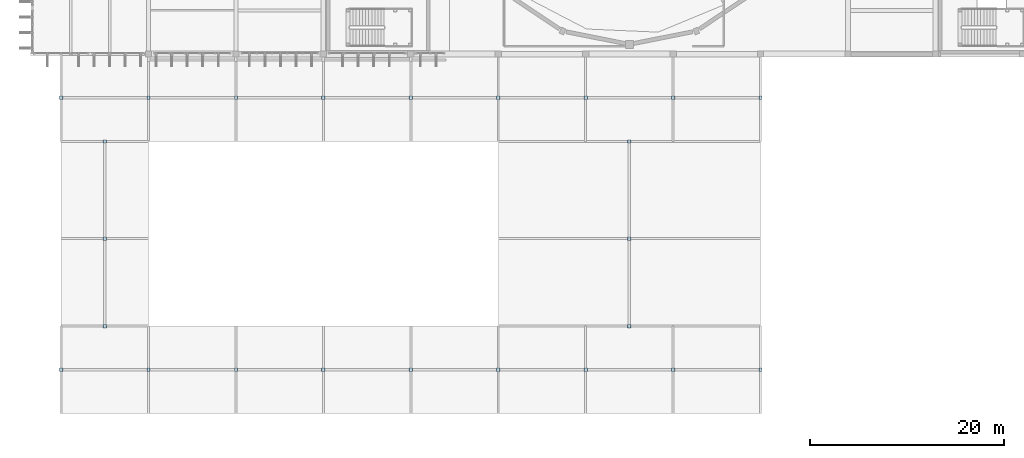
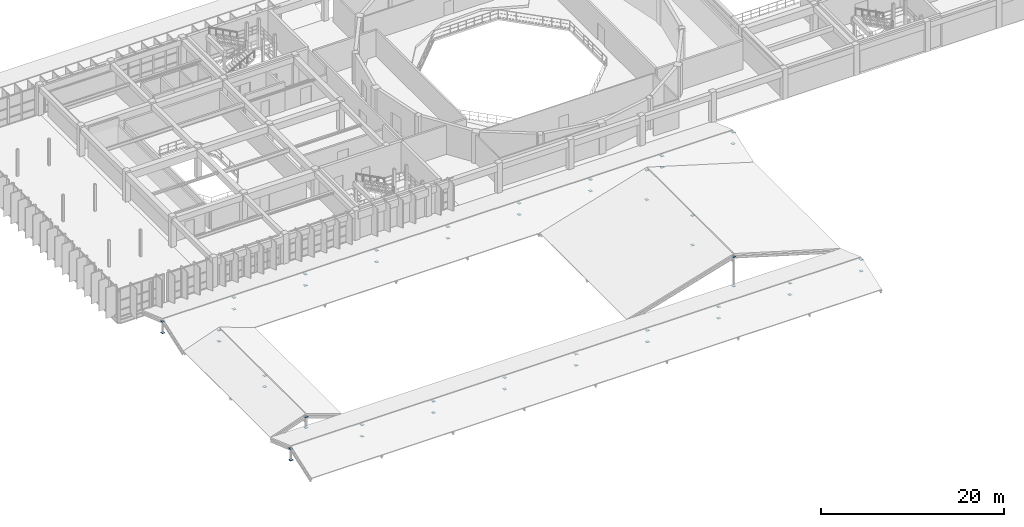
# One storey, part 66 of 80: 48 plates.
"""IFC4 building model written with IfcOpenShell, lengths in metres."""

from ifc_helpers import new_model, si_unit, direction, frame, origin, origin_2d, place, context, subcontext, project, spatial, rectangle, extrude, material, layer, layer_set, type_object, element, save


model = new_model("IFC4")

# Units and contexts
model_context = context("Model", 3, precision=1e-05, world=origin(), true_north=direction((0.0, 1.0)))
body_context = subcontext(model_context, "Body", "Model", "MODEL_VIEW")
ifc_project = project(units=[si_unit("LENGTHUNIT", "METRE"), si_unit("AREAUNIT", "SQUARE_METRE"), si_unit("VOLUMEUNIT", "CUBIC_METRE"), si_unit("PLANEANGLEUNIT", "RADIAN"), si_unit("MASSUNIT", "GRAM", prefix="KILO")], contexts=[model_context])

# Site, building, storey
site_placement = place(None, origin())
site = spatial("IfcSite", under=ifc_project, at=site_placement, CompositionType="ELEMENT")
building_placement = place(site_placement, origin())
building = spatial("IfcBuilding", under=site, at=building_placement, Name="Miravela Opera House", CompositionType="ELEMENT")
storey_placement = place(building_placement, frame((0.0, 0.0, 17.679931640625)))
storey = spatial("IfcBuildingStorey", under=building, at=storey_placement, Name="L04", CompositionType="ELEMENT", Elevation=17.679931640625)

# Plates
ifc_material = material(Name="Structural steel ASTM A572 Gr. 50", Category="steel")
ifc_layer = layer(ifc_material, 0.02001953125)
ifc_layer_set = layer_set([ifc_layer])
plate_type = type_object("IfcPlateType", Name="STR-PL-CAP-350X350X20", PredefinedType="SHEET", material=ifc_layer_set)
for number, where, z_axis, x_axis, name in (
    (1, (18.0, 32.5, -0.263916015625), (0.0, 0.0, 1.0), (1.0, 0.0, 0.0), "HSS Welded End Cap Plate 170"),
    (2, (18.0, 32.5, 1.254150390625), (0.0, 0.0, 1.0), (1.0, 0.0, 0.0), "HSS Welded End Cap Plate 171"),
    (3, (27.0, 32.5, -0.263916015625), (0.0, 0.0, 1.0), (1.0, 0.0, 0.0), "HSS Welded End Cap Plate 172"),
    (4, (27.0, 32.5, 1.254150390625), (0.0, 0.0, 1.0), (1.0, 0.0, 0.0), "HSS Welded End Cap Plate 173"),
    (5, (36.0, 32.5, -0.263916015625), (0.0, 0.0, 1.0), (1.0, 0.0, 0.0), "HSS Welded End Cap Plate 174"),
    (6, (36.0, 32.5, 1.254150390625), (0.0, 0.0, 1.0), (1.0, 0.0, 0.0), "HSS Welded End Cap Plate 175"),
    (7, (45.0, 32.5, -0.263916015625), (0.0, 0.0, 1.0), (1.0, 0.0, 0.0), "HSS Welded End Cap Plate 176"),
    (8, (45.0, 32.5, 1.254150390625), (0.0, 0.0, 1.0), (1.0, 0.0, 0.0), "HSS Welded End Cap Plate 177"),
    (9, (54.0, 32.5, -0.263916015625), (0.0, 0.0, 1.0), (1.0, 0.0, 0.0), "HSS Welded End Cap Plate 178"),
    (10, (54.0, 32.5, 1.254150390625), (0.0, 0.0, 1.0), (1.0, 0.0, 0.0), "HSS Welded End Cap Plate 179"),
    (11, (63.0, 32.5, -0.263916015625), (0.0, 0.0, 1.0), (1.0, 0.0, 0.0), "HSS Welded End Cap Plate 180"),
    (12, (63.0, 32.5, 1.254150390625), (0.0, 0.0, 1.0), (1.0, 0.0, 0.0), "HSS Welded End Cap Plate 181"),
    (13, (72.0, 32.5, -0.263916015625), (0.0, 0.0, 1.0), (1.0, 0.0, 0.0), "HSS Welded End Cap Plate 182"),
    (14, (72.0, 32.5, 1.254150390625), (0.0, 0.0, 1.0), (1.0, 0.0, 0.0), "HSS Welded End Cap Plate 183"),
    (15, (81.0, 32.5, -0.263916015625), (0.0, 0.0, 1.0), (1.0, 0.0, 0.0), "HSS Welded End Cap Plate 184"),
    (16, (81.0, 32.5, 1.254150390625), (0.0, 0.0, 1.0), (1.0, 0.0, 0.0), "HSS Welded End Cap Plate 185"),
    (17, (90.0, 32.5, -0.263916015625), (0.0, 0.0, 1.0), (1.0, 0.0, 0.0), "HSS Welded End Cap Plate 186"),
    (18, (90.0, 32.5, 1.254150390625), (0.0, 0.0, 1.0), (1.0, 0.0, 0.0), "HSS Welded End Cap Plate 187"),
    (19, (18.0, 4.5, -0.263916015625), (0.0, 0.0, 1.0), (1.0, 0.0, 0.0), "HSS Welded End Cap Plate 188"),
    (20, (18.0, 4.5, 1.254150390625), (0.0, 0.0, 1.0), (1.0, 0.0, 0.0), "HSS Welded End Cap Plate 189"),
    (21, (27.0, 4.5, -0.263916015625), (0.0, 0.0, 1.0), (1.0, 0.0, 0.0), "HSS Welded End Cap Plate 190"),
    (22, (27.0, 4.5, 1.254150390625), (0.0, 0.0, 1.0), (1.0, 0.0, 0.0), "HSS Welded End Cap Plate 191"),
    (23, (36.0, 4.5, -0.263916015625), (0.0, 0.0, 1.0), (1.0, 0.0, 0.0), "HSS Welded End Cap Plate 192"),
    (24, (36.0, 4.5, 1.254150390625), (0.0, 0.0, 1.0), (1.0, 0.0, 0.0), "HSS Welded End Cap Plate 193"),
    (25, (45.0, 4.5, -0.263916015625), (0.0, 0.0, 1.0), (1.0, 0.0, 0.0), "HSS Welded End Cap Plate 194"),
    (26, (45.0, 4.5, 1.254150390625), (0.0, 0.0, 1.0), (1.0, 0.0, 0.0), "HSS Welded End Cap Plate 195"),
    (27, (54.0, 4.5, -0.263916015625), (0.0, 0.0, 1.0), (1.0, 0.0, 0.0), "HSS Welded End Cap Plate 196"),
    (28, (54.0, 4.5, 1.254150390625), (0.0, 0.0, 1.0), (1.0, 0.0, 0.0), "HSS Welded End Cap Plate 197"),
    (29, (63.0, 4.5, -0.263916015625), (0.0, 0.0, 1.0), (1.0, 0.0, 0.0), "HSS Welded End Cap Plate 198"),
    (30, (63.0, 4.5, 1.254150390625), (0.0, 0.0, 1.0), (1.0, 0.0, 0.0), "HSS Welded End Cap Plate 199"),
    (31, (72.0, 4.5, -0.263916015625), (0.0, 0.0, 1.0), (1.0, 0.0, 0.0), "HSS Welded End Cap Plate 200"),
    (32, (72.0, 4.5, 1.254150390625), (0.0, 0.0, 1.0), (1.0, 0.0, 0.0), "HSS Welded End Cap Plate 201"),
    (33, (81.0, 4.5, -0.263916015625), (0.0, 0.0, 1.0), (1.0, 0.0, 0.0), "HSS Welded End Cap Plate 202"),
    (34, (81.0, 4.5, 1.254150390625), (0.0, 0.0, 1.0), (1.0, 0.0, 0.0), "HSS Welded End Cap Plate 203"),
    (35, (90.0, 4.5, -0.263916015625), (0.0, 0.0, 1.0), (1.0, 0.0, 0.0), "HSS Welded End Cap Plate 204"),
    (36, (90.0, 4.5, 1.254150390625), (0.0, 0.0, 1.0), (1.0, 0.0, 0.0), "HSS Welded End Cap Plate 205"),
    (37, (22.5, 9.0, -0.263916015625), (0.0, 0.0, 1.0), (1.0, 0.0, 0.0), "HSS Welded End Cap Plate 206"),
    (38, (22.5, 9.0, 1.214111328125), (0.0, 0.0, 1.0), (1.0, 0.0, 0.0), "HSS Welded End Cap Plate 207"),
    (39, (22.5, 18.0, -0.263916015625), (0.0, 0.0, 1.0), (1.0, 0.0, 0.0), "HSS Welded End Cap Plate 208"),
    (40, (22.5, 18.0, 1.214111328125), (0.0, 0.0, 1.0), (1.0, 0.0, 0.0), "HSS Welded End Cap Plate 209"),
    (41, (22.5, 28.0, -0.263916015625), (0.0, 0.0, 1.0), (1.0, 0.0, 0.0), "HSS Welded End Cap Plate 210"),
    (42, (22.5, 28.0, 1.214111328125), (0.0, 0.0, 1.0), (1.0, 0.0, 0.0), "HSS Welded End Cap Plate 211"),
    (43, (76.5, 9.0, -0.263916015625), (0.0, 0.0, 1.0), (1.0, 0.0, 0.0), "HSS Welded End Cap Plate 212"),
    (44, (76.5, 9.0, 3.6640625), (0.0, 0.0, 1.0), (1.0, 0.0, 0.0), "HSS Welded End Cap Plate 213"),
    (45, (76.5, 18.0, -0.263916015625), (0.0, 0.0, 1.0), (1.0, 0.0, 0.0), "HSS Welded End Cap Plate 214"),
    (46, (76.5, 18.0, 3.6640625), (0.0, 0.0, 1.0), (1.0, 0.0, 0.0), "HSS Welded End Cap Plate 215"),
    (47, (76.5, 28.0, -0.263916015625), (0.0, 0.0, 1.0), (1.0, 0.0, 0.0), "HSS Welded End Cap Plate 216"),
    (48, (76.5, 28.0, 3.6640625), (0.0, 0.0, 1.0), (1.0, 0.0, 0.0), "HSS Welded End Cap Plate 217"),
):
    element("IfcPlate", number, at=place(storey_placement, frame(where, z_axis=z_axis, x_axis=x_axis)), inside=storey, type_object=plate_type, Name=name, PredefinedType="SHEET", context=body_context, shape_type="SweptSolid", body=[
        extrude(rectangle(XDim=0.35009765625, YDim=0.35009765625, at=origin_2d()), origin(), (0.0, 0.0, 1.0), 0.02001953125),
    ])

save(model, "model.ifc")
